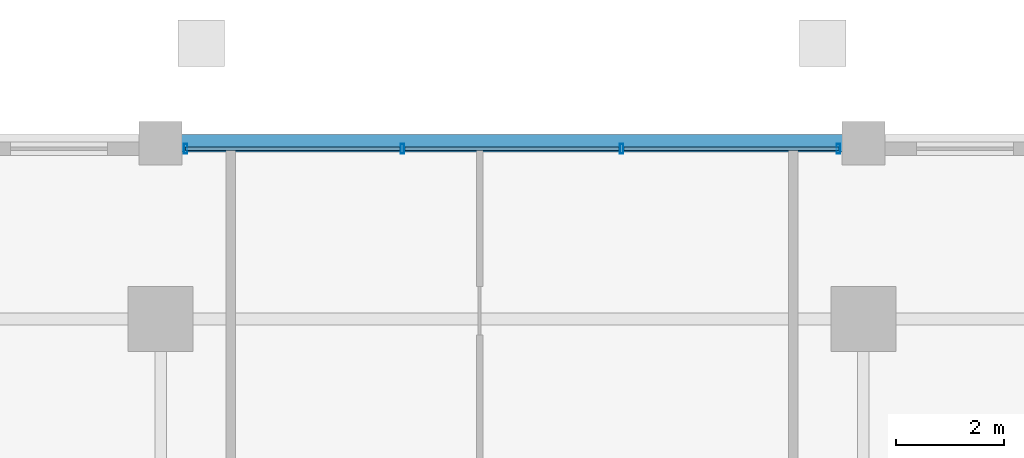
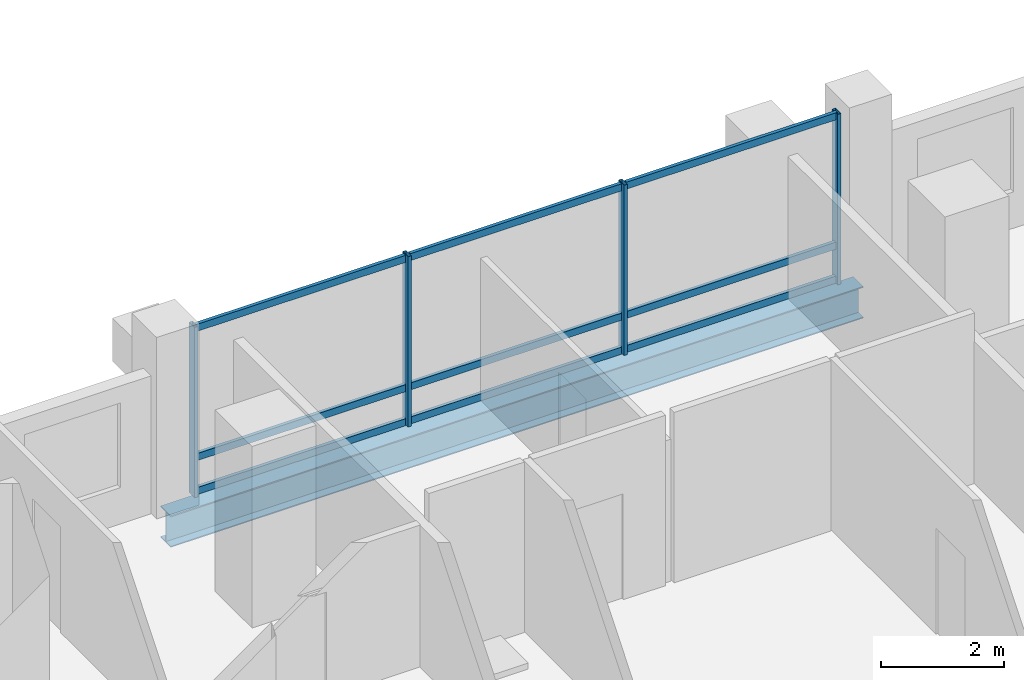
# One storey, part 10 of 19: 13 members, 1 beam, 1 element without a shape of its own.
"""IFC4 building model written with IfcOpenShell, lengths in metres."""

from ifc_helpers import new_model, si_unit, direction, frame, origin, origin_2d, place, context, subcontext, project, spatial, hollow_rectangle, i_section, extrude, material, layer, layer_set, material_profile, profile_set, type_object, element, aggregate, save


model = new_model("IFC4")

# Units and contexts
model_context = context("Model", 3, precision=1e-05, world=origin(), true_north=direction((0.0, 1.0)))
body_context = subcontext(model_context, "Body", "Model", "MODEL_VIEW")
ifc_project = project(units=[si_unit("LENGTHUNIT", "METRE"), si_unit("AREAUNIT", "SQUARE_METRE"), si_unit("VOLUMEUNIT", "CUBIC_METRE"), si_unit("PLANEANGLEUNIT", "RADIAN"), si_unit("MASSUNIT", "GRAM", prefix="KILO")], contexts=[model_context])

# Site, building, storey
site_placement = place(None, origin())
site = spatial("IfcSite", under=ifc_project, at=site_placement, CompositionType="ELEMENT")
building_placement = place(site_placement, origin())
building = spatial("IfcBuilding", under=site, at=building_placement, Name="Barlavira Tower and Art Museum", CompositionType="ELEMENT")
storey_placement = place(building_placement, frame((0.0, 0.0, 113.39990234375)))
storey = spatial("IfcBuildingStorey", under=building, at=storey_placement, Name="L28", CompositionType="ELEMENT", Elevation=113.39990234375)

# Curtain wall, members
ifc_material_1 = material(Name="Low-iron coastal laminated glass", Category="glass")
ifc_layer = layer(ifc_material_1, 0.18994140625, Name="Low-iron coastal laminated glass")
ifc_layer_set = layer_set([ifc_layer], Name="Low-iron coastal laminated glass")
curtain_wall_type = type_object("IfcCurtainWallType", Name="Pale-Metal Unitised Curtain Wall Zone 2", PredefinedType="NOTDEFINED", material=ifc_layer_set)
curtain_wall_placement = place(storey_placement, origin())
curtain_wall = element("IfcCurtainWall", 1, at=curtain_wall_placement, inside=storey, type_object=curtain_wall_type, Name="L28 Curtain Wall CW2-L28-N-B3", PredefinedType="NOTDEFINED")
ifc_material_2 = material(Name="Pale anodised aluminium", Category="aluminium")
ifc_material_profile_1 = material_profile(ifc_material_2, hollow_rectangle(XDim=0.06494140625, YDim=0.179931640625, WallThickness=0.00390625, at=origin_2d()), Name="ALU-MULL 65x180x4")
ifc_profile_set_1 = profile_set([ifc_material_profile_1], Name="Pale anodised aluminium")
member_type_1 = type_object("IfcMemberType", Name="Curtain Wall Pale-Metal Mullion 65x180", PredefinedType="MULLION", material=ifc_profile_set_1)
member_1_placement = place(storey_placement, frame((6.034912109375, 23.14990234375, 0.0), z_axis=(0.0, 0.0, 1.0), x_axis=(-1.0, 0.0, 0.0)))
member_1 = element("IfcMember", 2, at=member_1_placement, type_object=member_type_1, Name="CW2-L28-N-B3 Mullion 0", PredefinedType="MULLION", context=body_context, shape_type="SweptSolid", body=[
    extrude(hollow_rectangle(XDim=0.06494140625, YDim=0.179931640625, WallThickness=0.00390625, at=origin_2d()), origin(), (0.0, 0.0, 1.0), 3.380126953125),
])
member_2_placement = place(storey_placement, frame((2.026611328125, 23.14990234375, 0.0), z_axis=(0.0, 0.0, 1.0), x_axis=(-1.0, 0.0, 0.0)))
member_2 = element("IfcMember", 3, at=member_2_placement, type_object=member_type_1, Name="CW2-L28-N-B3 Mullion 1", PredefinedType="MULLION", context=body_context, shape_type="SweptSolid", body=[
    extrude(hollow_rectangle(XDim=0.06494140625, YDim=0.179931640625, WallThickness=0.00390625, at=origin_2d()), origin(), (0.0, 0.0, 1.0), 3.380126953125),
])
member_3_placement = place(storey_placement, frame((-2.026611328125, 23.14990234375, 0.0), z_axis=(0.0, 0.0, 1.0), x_axis=(-1.0, 0.0, 0.0)))
member_3 = element("IfcMember", 4, at=member_3_placement, type_object=member_type_1, Name="CW2-L28-N-B3 Mullion 2", PredefinedType="MULLION", context=body_context, shape_type="SweptSolid", body=[
    extrude(hollow_rectangle(XDim=0.06494140625, YDim=0.179931640625, WallThickness=0.00390625, at=origin_2d()), origin(), (0.0, 0.0, 1.0), 3.380126953125),
])
member_4_placement = place(storey_placement, frame((-6.034912109375, 23.14990234375, 0.0), z_axis=(0.0, 0.0, 1.0), x_axis=(-1.0, 0.0, 0.0)))
member_4 = element("IfcMember", 5, at=member_4_placement, type_object=member_type_1, Name="CW2-L28-N-B3 Mullion 3", PredefinedType="MULLION", context=body_context, shape_type="SweptSolid", body=[
    extrude(hollow_rectangle(XDim=0.06494140625, YDim=0.179931640625, WallThickness=0.00390625, at=origin_2d()), origin(), (0.0, 0.0, 1.0), 3.380126953125),
])
ifc_material_profile_2 = material_profile(ifc_material_2, hollow_rectangle(XDim=0.06494140625, YDim=0.139892578125, WallThickness=0.00390625, at=origin_2d()), Name="ALU-TRAN 65x140x4")
ifc_profile_set_2 = profile_set([ifc_material_profile_2], Name="Pale anodised aluminium")
member_type_2 = type_object("IfcMemberType", Name="Curtain Wall Pale-Metal Transom 65x140", PredefinedType="USERDEFINED", material=ifc_profile_set_2)
member_5_placement = place(storey_placement, frame((6.034912109375, 23.14990234375, 0.070068359375), z_axis=(-1.0, 0.0, 0.0), x_axis=(0.0, -1.0, 0.0)))
member_5 = element("IfcMember", 6, at=member_5_placement, type_object=member_type_2, Name="CW2-L28-N-B3 Transom 0.1", ObjectType="TRANSOM", PredefinedType="USERDEFINED", context=body_context, shape_type="SweptSolid", body=[
    extrude(hollow_rectangle(XDim=0.06494140625, YDim=0.139892578125, WallThickness=0.00390625, at=origin_2d()), origin(), (0.0, 0.0, 1.0), 3.963134765625),
])
member_6_placement = place(storey_placement, frame((6.034912109375, 23.14990234375, 0.744140625), z_axis=(-1.0, 0.0, 0.0), x_axis=(0.0, -1.0, 0.0)))
member_6 = element("IfcMember", 7, at=member_6_placement, type_object=member_type_2, Name="CW2-L28-N-B3 Transom 0.2", ObjectType="TRANSOM", PredefinedType="USERDEFINED", context=body_context, shape_type="SweptSolid", body=[
    extrude(hollow_rectangle(XDim=0.06494140625, YDim=0.139892578125, WallThickness=0.00390625, at=origin_2d()), origin(), (0.0, 0.0, 1.0), 3.963134765625),
])
member_7_placement = place(storey_placement, frame((6.034912109375, 23.14990234375, 3.31005859375), z_axis=(-1.0, 0.0, 0.0), x_axis=(0.0, -1.0, 0.0)))
member_7 = element("IfcMember", 8, at=member_7_placement, type_object=member_type_2, Name="CW2-L28-N-B3 Transom 0.3", ObjectType="TRANSOM", PredefinedType="USERDEFINED", context=body_context, shape_type="SweptSolid", body=[
    extrude(hollow_rectangle(XDim=0.06494140625, YDim=0.139892578125, WallThickness=0.00390625, at=origin_2d()), origin(), (0.0, 0.0, 1.0), 3.963134765625),
])
member_8_placement = place(storey_placement, frame((1.981689453125, 23.14990234375, 0.070068359375), z_axis=(-1.0, 0.0, 0.0), x_axis=(0.0, -1.0, 0.0)))
member_8 = element("IfcMember", 9, at=member_8_placement, type_object=member_type_2, Name="CW2-L28-N-B3 Transom 1.1", ObjectType="TRANSOM", PredefinedType="USERDEFINED", context=body_context, shape_type="SweptSolid", body=[
    extrude(hollow_rectangle(XDim=0.06494140625, YDim=0.139892578125, WallThickness=0.00390625, at=origin_2d()), origin(), (0.0, 0.0, 1.0), 3.96337890625),
])
member_9_placement = place(storey_placement, frame((1.981689453125, 23.14990234375, 0.744140625), z_axis=(-1.0, 0.0, 0.0), x_axis=(0.0, -1.0, 0.0)))
member_9 = element("IfcMember", 10, at=member_9_placement, type_object=member_type_2, Name="CW2-L28-N-B3 Transom 1.2", ObjectType="TRANSOM", PredefinedType="USERDEFINED", context=body_context, shape_type="SweptSolid", body=[
    extrude(hollow_rectangle(XDim=0.06494140625, YDim=0.139892578125, WallThickness=0.00390625, at=origin_2d()), origin(), (0.0, 0.0, 1.0), 3.96337890625),
])
member_10_placement = place(storey_placement, frame((1.981689453125, 23.14990234375, 3.31005859375), z_axis=(-1.0, 0.0, 0.0), x_axis=(0.0, -1.0, 0.0)))
member_10 = element("IfcMember", 11, at=member_10_placement, type_object=member_type_2, Name="CW2-L28-N-B3 Transom 1.3", ObjectType="TRANSOM", PredefinedType="USERDEFINED", context=body_context, shape_type="SweptSolid", body=[
    extrude(hollow_rectangle(XDim=0.06494140625, YDim=0.139892578125, WallThickness=0.00390625, at=origin_2d()), origin(), (0.0, 0.0, 1.0), 3.96337890625),
])
member_11_placement = place(storey_placement, frame((-2.07177734375, 23.14990234375, 0.070068359375), z_axis=(-1.0, 0.0, 0.0), x_axis=(0.0, -1.0, 0.0)))
member_11 = element("IfcMember", 12, at=member_11_placement, type_object=member_type_2, Name="CW2-L28-N-B3 Transom 2.1", ObjectType="TRANSOM", PredefinedType="USERDEFINED", context=body_context, shape_type="SweptSolid", body=[
    extrude(hollow_rectangle(XDim=0.06494140625, YDim=0.139892578125, WallThickness=0.00390625, at=origin_2d()), origin(), (0.0, 0.0, 1.0), 3.963134765625),
])
member_12_placement = place(storey_placement, frame((-2.07177734375, 23.14990234375, 0.744140625), z_axis=(-1.0, 0.0, 0.0), x_axis=(0.0, -1.0, 0.0)))
member_12 = element("IfcMember", 13, at=member_12_placement, type_object=member_type_2, Name="CW2-L28-N-B3 Transom 2.2", ObjectType="TRANSOM", PredefinedType="USERDEFINED", context=body_context, shape_type="SweptSolid", body=[
    extrude(hollow_rectangle(XDim=0.06494140625, YDim=0.139892578125, WallThickness=0.00390625, at=origin_2d()), origin(), (0.0, 0.0, 1.0), 3.963134765625),
])
member_13_placement = place(storey_placement, frame((-2.07177734375, 23.14990234375, 3.31005859375), z_axis=(-1.0, 0.0, 0.0), x_axis=(0.0, -1.0, 0.0)))
member_13 = element("IfcMember", 14, at=member_13_placement, type_object=member_type_2, Name="CW2-L28-N-B3 Transom 2.3", ObjectType="TRANSOM", PredefinedType="USERDEFINED", context=body_context, shape_type="SweptSolid", body=[
    extrude(hollow_rectangle(XDim=0.06494140625, YDim=0.139892578125, WallThickness=0.00390625, at=origin_2d()), origin(), (0.0, 0.0, 1.0), 3.963134765625),
])
aggregate(curtain_wall, [member_1, member_2, member_3, member_4, member_5, member_6, member_7, member_8, member_9, member_10, member_11, member_12, member_13])

# Beam
ifc_material_3 = material(Name="Steel S355", Category="steel")
ifc_material_profile_3 = material_profile(ifc_material_3, i_section(OverallWidth=0.327880859375, OverallDepth=0.62890625, WebThickness=0.013916015625, FlangeThickness=0.021484375, at=origin_2d()), Name="W610x174.0")
ifc_profile_set_3 = profile_set([ifc_material_profile_3], Name="Steel S355")
beam_type = type_object("IfcBeamType", Name="Perimeter Spandrel Edge Beam W610x174 Steel S355", PredefinedType="SPANDREL", material=ifc_profile_set_3)
beam_placement = place(storey_placement, frame((-6.5, 23.25, -0.534423828125), z_axis=(1.0, 0.0, 0.0), x_axis=(0.0, 1.0, 0.0)))
element("IfcBeam", 15, at=beam_placement, inside=storey, type_object=beam_type, Name="L28 Spandrel 10", PredefinedType="SPANDREL", context=body_context, shape_type="SweptSolid", body=[
    extrude(i_section(OverallWidth=0.327880859375, OverallDepth=0.62890625, WebThickness=0.013916015625, FlangeThickness=0.021484375, at=origin_2d()), origin(), (0.0, 0.0, 1.0), 13.0),
])

save(model, "model.ifc")
